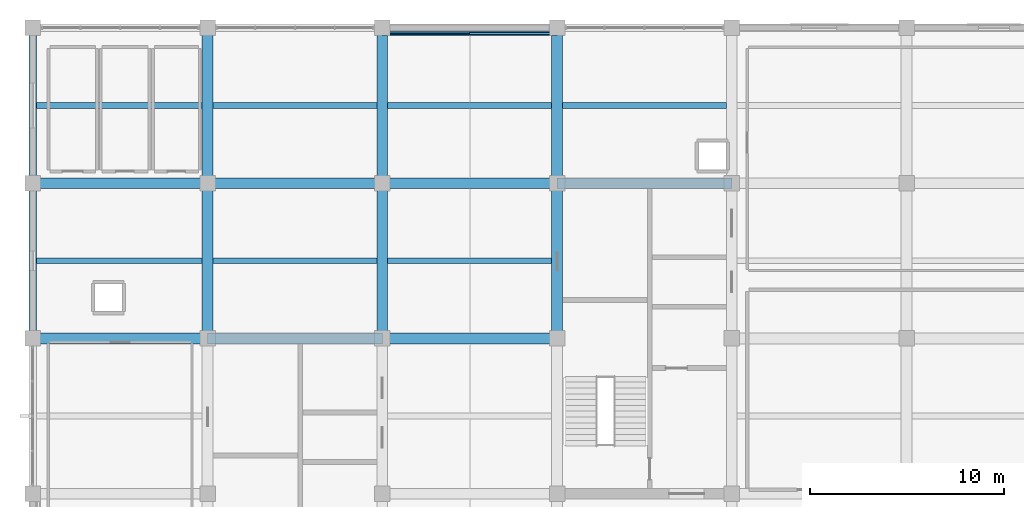
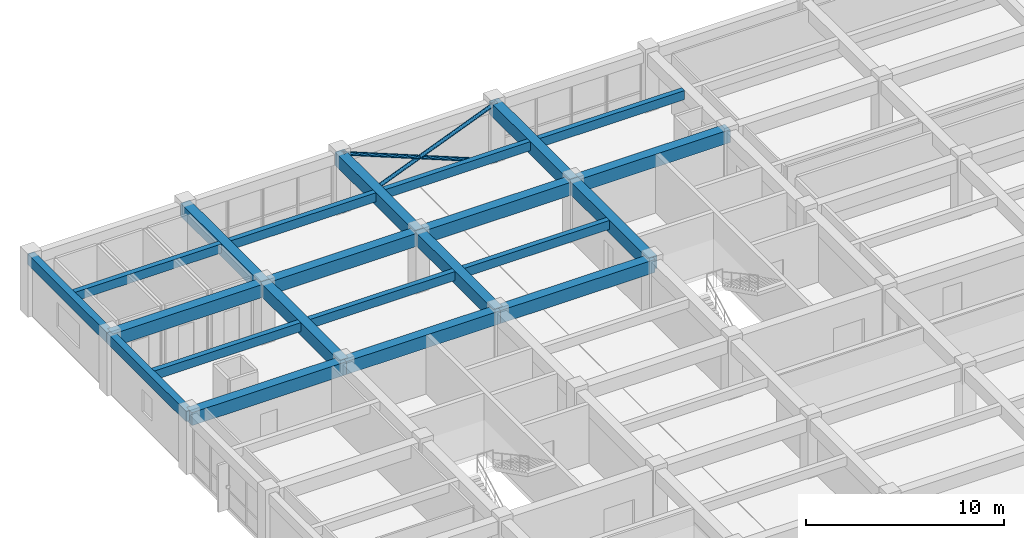
# One storey, part 8 of 16: 22 beams, 2 members.
"""IFC4 building model written with IfcOpenShell, lengths in metres."""

from ifc_helpers import new_model, si_unit, direction, frame, origin, origin_2d, place, context, subcontext, project, spatial, rectangle, hollow_circle, extrude, material, material_profile, profile_set, type_object, element, save


model = new_model("IFC4")

# Units and contexts
model_context = context("Model", 3, precision=1e-05, world=origin(), true_north=direction((0.0, 1.0)))
body_context = subcontext(model_context, "Body", "Model", "MODEL_VIEW")
ifc_project = project(units=[si_unit("LENGTHUNIT", "METRE"), si_unit("AREAUNIT", "SQUARE_METRE"), si_unit("VOLUMEUNIT", "CUBIC_METRE"), si_unit("PLANEANGLEUNIT", "RADIAN"), si_unit("MASSUNIT", "GRAM", prefix="KILO")], contexts=[model_context])

# Site, building, storey
site_placement = place(None, origin())
site = spatial("IfcSite", under=ifc_project, at=site_placement, CompositionType="ELEMENT")
building_placement = place(site_placement, origin())
building = spatial("IfcBuilding", under=site, at=building_placement, Name="Zaverband Oceanarium and Marine Research Institute", CompositionType="ELEMENT")
storey_placement = place(building_placement, frame((0.0, 0.0, 41.39990234375)))
storey = spatial("IfcBuildingStorey", under=building, at=storey_placement, Name="L10", CompositionType="ELEMENT", Elevation=41.39990234375)

# Beams
ifc_material_1 = material(Name="Concrete C40/50", Category="concrete")
ifc_material_profile_1 = material_profile(ifc_material_1, rectangle(XDim=0.550048828125, YDim=0.800048828125, at=origin_2d()), Name="RC550x800")
ifc_profile_set_1 = profile_set([ifc_material_profile_1], Name="Concrete C40/50")
beam_type_1 = type_object("IfcBeamType", Name="BM-550x800", PredefinedType="BEAM", material=ifc_profile_set_1)
for number, where, z_axis, x_axis, name in (
    (1, (9.0, 96.0, 3.22021484375), (1.0, 0.0, 0.0), (0.0, 1.0, 0.0), "Primary floor girder BM-550x800"),
    (2, (18.0, 96.0, 3.22021484375), (1.0, 0.0, 0.0), (0.0, 1.0, 0.0), "Primary floor girder BM-550x800"),
    (3, (27.0, 96.0, 3.22021484375), (1.0, 0.0, 0.0), (0.0, 1.0, 0.0), "Primary floor girder BM-550x800"),
    (4, (9.0, 104.0, 3.22021484375), (1.0, 0.0, 0.0), (0.0, 1.0, 0.0), "Primary floor girder BM-550x800"),
    (5, (18.0, 104.0, 3.22021484375), (1.0, 0.0, 0.0), (0.0, 1.0, 0.0), "Primary floor girder BM-550x800"),
    (6, (27.0, 104.0, 3.22021484375), (1.0, 0.0, 0.0), (0.0, 1.0, 0.0), "Primary floor girder BM-550x800"),
    (7, (36.0, 104.0, 3.22021484375), (1.0, 0.0, 0.0), (0.0, 1.0, 0.0), "Primary floor girder BM-550x800"),
):
    element("IfcBeam", number, at=place(storey_placement, frame(where, z_axis=z_axis, x_axis=x_axis)), inside=storey, type_object=beam_type_1, Name=name, PredefinedType="BEAM", context=body_context, shape_type="SweptSolid", body=[
        extrude(rectangle(XDim=0.550048828125, YDim=0.800048828125, at=origin_2d()), origin(), (0.0, 0.0, 1.0), 9.0),
    ])
for number, where, z_axis, x_axis, name in (
    (8, (18.0, 96.0, 3.22021484375), (0.0, 1.0, 0.0), (-1.0, 0.0, 0.0), "Primary floor girder BM-550x800"),
    (9, (18.0, 104.0, 3.22021484375), (0.0, 1.0, 0.0), (-1.0, 0.0, 0.0), "Primary floor girder BM-550x800"),
    (10, (27.0, 96.0, 3.22021484375), (0.0, 1.0, 0.0), (-1.0, 0.0, 0.0), "Primary floor girder BM-550x800"),
    (11, (27.0, 104.0, 3.22021484375), (0.0, 1.0, 0.0), (-1.0, 0.0, 0.0), "Primary floor girder BM-550x800"),
    (12, (36.0, 96.0, 3.22021484375), (0.0, 1.0, 0.0), (-1.0, 0.0, 0.0), "Primary floor girder BM-550x800"),
    (13, (36.0, 104.0, 3.22021484375), (0.0, 1.0, 0.0), (-1.0, 0.0, 0.0), "Primary floor girder BM-550x800"),
):
    element("IfcBeam", number, at=place(storey_placement, frame(where, z_axis=z_axis, x_axis=x_axis)), inside=storey, type_object=beam_type_1, Name=name, PredefinedType="BEAM", context=body_context, shape_type="SweptSolid", body=[
        extrude(rectangle(XDim=0.550048828125, YDim=0.800048828125, at=origin_2d()), origin(), (0.0, 0.0, 1.0), 8.0),
    ])

# Members
ifc_material_2 = material(Name="Steel S355", Category="steel")
ifc_material_profile_2 = material_profile(ifc_material_2, hollow_circle(Radius=0.109619140625, WallThickness=0.008056640625, at=origin_2d()), Name="CHS219x8")
ifc_profile_set_2 = profile_set([ifc_material_profile_2], Name="Steel S355")
member_type = type_object("IfcMemberType", Name="BR-02", PredefinedType="BRACE", material=ifc_profile_set_2)
for number, where, z_axis, x_axis, name in (
    (14, (27.0, 111.719970703125, 0.0), (0.927759877096, 0.0, 0.373177719661), (0.0, 1.0, 0.0), "Diagonal lateral brace BR-02"),
    (15, (36.0, 111.719970703125, 0.0), (-0.927759877096, 0.0, 0.373177719661), (0.0, -1.0, 0.0), "Diagonal lateral brace BR-02"),
):
    element("IfcMember", number, at=place(storey_placement, frame(where, z_axis=z_axis, x_axis=x_axis)), inside=storey, type_object=member_type, Name=name, PredefinedType="BRACE", context=body_context, shape_type="SweptSolid", body=[
        extrude(hollow_circle(Radius=0.109619140625, WallThickness=0.008056640625, at=origin_2d()), origin(), (0.0, 0.0, 1.0), 9.70068359375),
    ])

# Beams
ifc_material_profile_3 = material_profile(ifc_material_1, rectangle(XDim=0.300048828125, YDim=0.550048828125, at=origin_2d()), Name="RC300x550")
ifc_profile_set_3 = profile_set([ifc_material_profile_3], Name="Concrete C40/50")
beam_type_2 = type_object("IfcBeamType", Name="JST-300x550", PredefinedType="JOIST", material=ifc_profile_set_3)
for number, where, z_axis, x_axis, name in (
    (16, (9.199951171875, 100.0, 3.34521484375), (1.0, 0.0, 0.0), (0.0, 1.0, 0.0), "Secondary floor joist JST-300x550"),
    (17, (9.199951171875, 108.0, 3.34521484375), (1.0, 0.0, 0.0), (0.0, 1.0, 0.0), "Secondary floor joist JST-300x550"),
):
    element("IfcBeam", number, at=place(storey_placement, frame(where, z_axis=z_axis, x_axis=x_axis)), inside=storey, type_object=beam_type_2, Name=name, PredefinedType="JOIST", context=body_context, shape_type="SweptSolid", body=[
        extrude(rectangle(XDim=0.300048828125, YDim=0.550048828125, at=origin_2d()), origin(), (0.0, 0.0, 1.0), 8.525146484375),
    ])
for number, where, z_axis, x_axis, name in (
    (18, (18.27490234375, 100.0, 3.34521484375), (1.0, 0.0, 0.0), (0.0, 1.0, 0.0), "Secondary floor joist JST-300x550"),
    (19, (18.27490234375, 108.0, 3.34521484375), (1.0, 0.0, 0.0), (0.0, 1.0, 0.0), "Secondary floor joist JST-300x550"),
    (20, (27.27490234375, 100.0, 3.34521484375), (1.0, 0.0, 0.0), (0.0, 1.0, 0.0), "Secondary floor joist JST-300x550"),
    (21, (27.27490234375, 108.0, 3.34521484375), (1.0, 0.0, 0.0), (0.0, 1.0, 0.0), "Secondary floor joist JST-300x550"),
    (22, (36.27490234375, 108.0, 3.34521484375), (1.0, 0.0, 0.0), (0.0, 1.0, 0.0), "Secondary floor joist JST-300x550"),
):
    element("IfcBeam", number, at=place(storey_placement, frame(where, z_axis=z_axis, x_axis=x_axis)), inside=storey, type_object=beam_type_2, Name=name, PredefinedType="JOIST", context=body_context, shape_type="SweptSolid", body=[
        extrude(rectangle(XDim=0.300048828125, YDim=0.550048828125, at=origin_2d()), origin(), (0.0, 0.0, 1.0), 8.4501953125),
    ])
ifc_material_profile_4 = material_profile(ifc_material_1, rectangle(XDim=0.39990234375, YDim=0.64990234375, at=origin_2d()), Name="RC400x650")
ifc_profile_set_4 = profile_set([ifc_material_profile_4], Name="Concrete C40/50")
beam_type_3 = type_object("IfcBeamType", Name="SPN-400x650", PredefinedType="SPANDREL", material=ifc_profile_set_4)
for number, where, z_axis, x_axis, name in (
    (23, (9.0, 96.0, 3.295166015625), (0.0, 1.0, 0.0), (-1.0, 0.0, 0.0), "Perimeter spandrel beam SPN-400x650"),
    (24, (9.0, 104.0, 3.295166015625), (0.0, 1.0, 0.0), (-1.0, 0.0, 0.0), "Perimeter spandrel beam SPN-400x650"),
):
    element("IfcBeam", number, at=place(storey_placement, frame(where, z_axis=z_axis, x_axis=x_axis)), inside=storey, type_object=beam_type_3, Name=name, PredefinedType="SPANDREL", context=body_context, shape_type="SweptSolid", body=[
        extrude(rectangle(XDim=0.39990234375, YDim=0.64990234375, at=origin_2d()), origin(), (0.0, 0.0, 1.0), 8.0),
    ])

save(model, "model.ifc")
